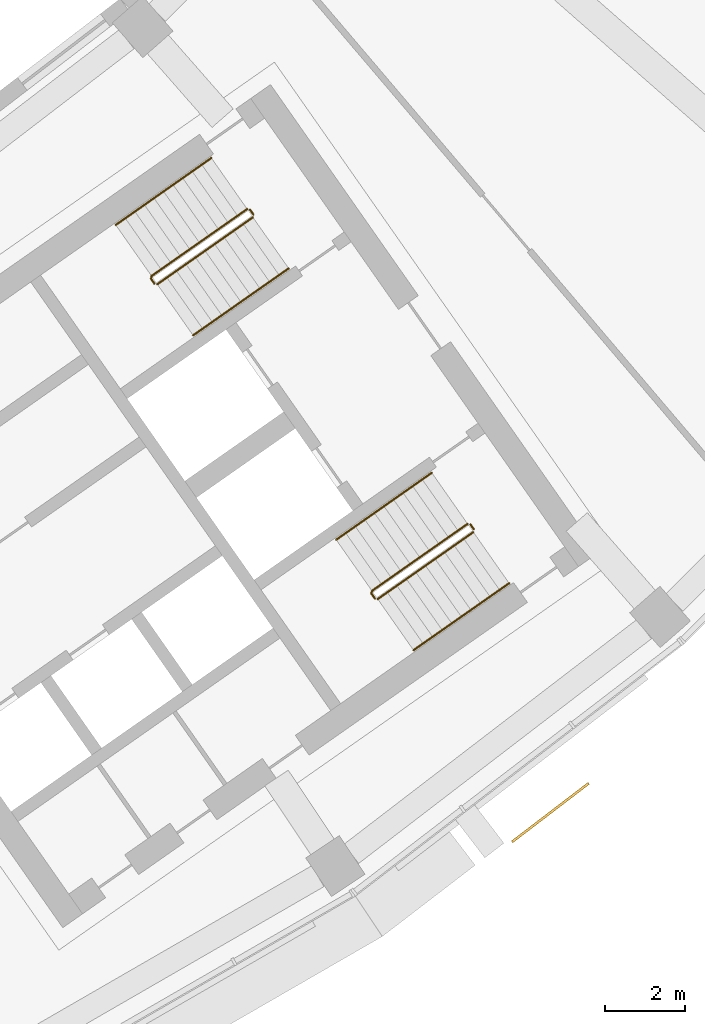
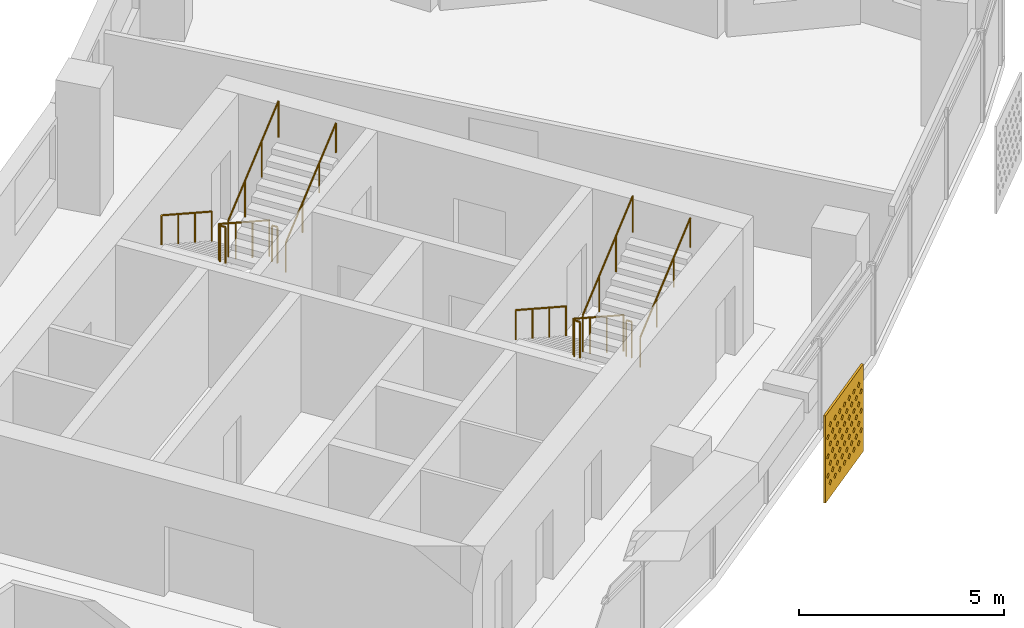
# One storey, part 27 of 28: 10 railings, 1 shading device.
"""IFC4 building model written with IfcOpenShell, lengths in metres."""

from ifc_helpers import new_model, si_unit, direction, frame, origin, origin_2d, place, context, subcontext, project, spatial, polyline, circle, outline, extrude, material, material_profile, profile_set, type_object, element, save


model = new_model("IFC4")

# Units and contexts
model_context = context("Model", 3, precision=1e-05, world=origin(), true_north=direction((0.0, 1.0)))
body_context = subcontext(model_context, "Body", "Model", "MODEL_VIEW")
ifc_project = project(units=[si_unit("LENGTHUNIT", "METRE"), si_unit("AREAUNIT", "SQUARE_METRE"), si_unit("VOLUMEUNIT", "CUBIC_METRE"), si_unit("PLANEANGLEUNIT", "RADIAN"), si_unit("MASSUNIT", "GRAM", prefix="KILO")], contexts=[model_context])

# Site, building, storey
site_placement = place(None, origin())
site = spatial("IfcSite", under=ifc_project, at=site_placement, CompositionType="ELEMENT")
building_placement = place(site_placement, origin())
building = spatial("IfcBuilding", under=site, at=building_placement, Name="Qamariyya Broadcast Tower", CompositionType="ELEMENT")
storey_placement = place(building_placement, frame((0.0, 0.0, 230.300048828125)))
storey = spatial("IfcBuildingStorey", under=building, at=storey_placement, Name="L55", CompositionType="ELEMENT", Elevation=230.300048828125)

# Shading device
ifc_material_1 = material(Name="Perforated glazed terracotta", Category="masonry")
ifc_material_profile = material_profile(ifc_material_1, outline(polyline([(-1.199951171875, -1.300048828125), (1.199951171875, -1.300048828125), (1.199951171875, 1.300048828125), (-1.199951171875, 1.300048828125), (-1.199951171875, -1.300048828125)]), holes=[polyline([(-0.81494140625, -0.86669921875), (-0.89990234375, -0.78173828125), (-0.985107421875, -0.86669921875), (-0.89990234375, -0.95166015625), (-0.81494140625, -0.86669921875)]), polyline([(-0.514892578125, -0.86669921875), (-0.60009765625, -0.78173828125), (-0.68505859375, -0.86669921875), (-0.60009765625, -0.95166015625), (-0.514892578125, -0.86669921875)]), polyline([(-0.215087890625, -0.86669921875), (-0.300048828125, -0.78173828125), (-0.385009765625, -0.86669921875), (-0.300048828125, -0.95166015625), (-0.215087890625, -0.86669921875)]), polyline([(0.0849609375, -0.86669921875), (0.0, -0.78173828125), (-0.0849609375, -0.86669921875), (0.0, -0.95166015625), (0.0849609375, -0.86669921875)]), polyline([(0.385009765625, -0.86669921875), (0.300048828125, -0.78173828125), (0.215087890625, -0.86669921875), (0.300048828125, -0.95166015625), (0.385009765625, -0.86669921875)]), polyline([(0.68505859375, -0.86669921875), (0.60009765625, -0.78173828125), (0.514892578125, -0.86669921875), (0.60009765625, -0.95166015625), (0.68505859375, -0.86669921875)]), polyline([(0.985107421875, -0.86669921875), (0.89990234375, -0.78173828125), (0.81494140625, -0.86669921875), (0.89990234375, -0.95166015625), (0.985107421875, -0.86669921875)]), polyline([(-0.965087890625, -0.577880859375), (-1.050048828125, -0.49267578125), (-1.135009765625, -0.577880859375), (-1.050048828125, -0.662841796875), (-0.965087890625, -0.577880859375)]), polyline([(-0.6650390625, -0.577880859375), (-0.75, -0.49267578125), (-0.8349609375, -0.577880859375), (-0.75, -0.662841796875), (-0.6650390625, -0.577880859375)]), polyline([(-0.364990234375, -0.577880859375), (-0.449951171875, -0.49267578125), (-0.534912109375, -0.577880859375), (-0.449951171875, -0.662841796875), (-0.364990234375, -0.577880859375)]), polyline([(-0.06494140625, -0.577880859375), (-0.14990234375, -0.49267578125), (-0.235107421875, -0.577880859375), (-0.14990234375, -0.662841796875), (-0.06494140625, -0.577880859375)]), polyline([(0.235107421875, -0.577880859375), (0.14990234375, -0.49267578125), (0.06494140625, -0.577880859375), (0.14990234375, -0.662841796875), (0.235107421875, -0.577880859375)]), polyline([(0.534912109375, -0.577880859375), (0.449951171875, -0.49267578125), (0.364990234375, -0.577880859375), (0.449951171875, -0.662841796875), (0.534912109375, -0.577880859375)]), polyline([(0.8349609375, -0.577880859375), (0.75, -0.49267578125), (0.6650390625, -0.577880859375), (0.75, -0.662841796875), (0.8349609375, -0.577880859375)]), polyline([(1.135009765625, -0.577880859375), (1.050048828125, -0.49267578125), (0.965087890625, -0.577880859375), (1.050048828125, -0.662841796875), (1.135009765625, -0.577880859375)]), polyline([(-0.81494140625, -0.288818359375), (-0.89990234375, -0.203857421875), (-0.985107421875, -0.288818359375), (-0.89990234375, -0.373779296875), (-0.81494140625, -0.288818359375)]), polyline([(-0.514892578125, -0.288818359375), (-0.60009765625, -0.203857421875), (-0.68505859375, -0.288818359375), (-0.60009765625, -0.373779296875), (-0.514892578125, -0.288818359375)]), polyline([(-0.215087890625, -0.288818359375), (-0.300048828125, -0.203857421875), (-0.385009765625, -0.288818359375), (-0.300048828125, -0.373779296875), (-0.215087890625, -0.288818359375)]), polyline([(0.0849609375, -0.288818359375), (0.0, -0.203857421875), (-0.0849609375, -0.288818359375), (0.0, -0.373779296875), (0.0849609375, -0.288818359375)]), polyline([(0.385009765625, -0.288818359375), (0.300048828125, -0.203857421875), (0.215087890625, -0.288818359375), (0.300048828125, -0.373779296875), (0.385009765625, -0.288818359375)]), polyline([(0.68505859375, -0.288818359375), (0.60009765625, -0.203857421875), (0.514892578125, -0.288818359375), (0.60009765625, -0.373779296875), (0.68505859375, -0.288818359375)]), polyline([(0.985107421875, -0.288818359375), (0.89990234375, -0.203857421875), (0.81494140625, -0.288818359375), (0.89990234375, -0.373779296875), (0.985107421875, -0.288818359375)]), polyline([(-0.965087890625, 0.0), (-1.050048828125, 0.0849609375), (-1.135009765625, 0.0), (-1.050048828125, -0.0849609375), (-0.965087890625, 0.0)]), polyline([(-0.6650390625, 0.0), (-0.75, 0.0849609375), (-0.8349609375, 0.0), (-0.75, -0.0849609375), (-0.6650390625, 0.0)]), polyline([(-0.364990234375, 0.0), (-0.449951171875, 0.0849609375), (-0.534912109375, 0.0), (-0.449951171875, -0.0849609375), (-0.364990234375, 0.0)]), polyline([(-0.06494140625, 0.0), (-0.14990234375, 0.0849609375), (-0.235107421875, 0.0), (-0.14990234375, -0.0849609375), (-0.06494140625, 0.0)]), polyline([(0.235107421875, 0.0), (0.14990234375, 0.0849609375), (0.06494140625, 0.0), (0.14990234375, -0.0849609375), (0.235107421875, 0.0)]), polyline([(0.534912109375, 0.0), (0.449951171875, 0.0849609375), (0.364990234375, 0.0), (0.449951171875, -0.0849609375), (0.534912109375, 0.0)]), polyline([(0.8349609375, 0.0), (0.75, 0.0849609375), (0.6650390625, 0.0), (0.75, -0.0849609375), (0.8349609375, 0.0)]), polyline([(1.135009765625, 0.0), (1.050048828125, 0.0849609375), (0.965087890625, 0.0), (1.050048828125, -0.0849609375), (1.135009765625, 0.0)]), polyline([(-0.81494140625, 0.288818359375), (-0.89990234375, 0.373779296875), (-0.985107421875, 0.288818359375), (-0.89990234375, 0.203857421875), (-0.81494140625, 0.288818359375)]), polyline([(-0.514892578125, 0.288818359375), (-0.60009765625, 0.373779296875), (-0.68505859375, 0.288818359375), (-0.60009765625, 0.203857421875), (-0.514892578125, 0.288818359375)]), polyline([(-0.215087890625, 0.288818359375), (-0.300048828125, 0.373779296875), (-0.385009765625, 0.288818359375), (-0.300048828125, 0.203857421875), (-0.215087890625, 0.288818359375)]), polyline([(0.0849609375, 0.288818359375), (0.0, 0.373779296875), (-0.0849609375, 0.288818359375), (0.0, 0.203857421875), (0.0849609375, 0.288818359375)]), polyline([(0.385009765625, 0.288818359375), (0.300048828125, 0.373779296875), (0.215087890625, 0.288818359375), (0.300048828125, 0.203857421875), (0.385009765625, 0.288818359375)]), polyline([(0.68505859375, 0.288818359375), (0.60009765625, 0.373779296875), (0.514892578125, 0.288818359375), (0.60009765625, 0.203857421875), (0.68505859375, 0.288818359375)]), polyline([(0.985107421875, 0.288818359375), (0.89990234375, 0.373779296875), (0.81494140625, 0.288818359375), (0.89990234375, 0.203857421875), (0.985107421875, 0.288818359375)]), polyline([(-0.965087890625, 0.577880859375), (-1.050048828125, 0.662841796875), (-1.135009765625, 0.577880859375), (-1.050048828125, 0.49267578125), (-0.965087890625, 0.577880859375)]), polyline([(-0.6650390625, 0.577880859375), (-0.75, 0.662841796875), (-0.8349609375, 0.577880859375), (-0.75, 0.49267578125), (-0.6650390625, 0.577880859375)]), polyline([(-0.364990234375, 0.577880859375), (-0.449951171875, 0.662841796875), (-0.534912109375, 0.577880859375), (-0.449951171875, 0.49267578125), (-0.364990234375, 0.577880859375)]), polyline([(-0.06494140625, 0.577880859375), (-0.14990234375, 0.662841796875), (-0.235107421875, 0.577880859375), (-0.14990234375, 0.49267578125), (-0.06494140625, 0.577880859375)]), polyline([(0.235107421875, 0.577880859375), (0.14990234375, 0.662841796875), (0.06494140625, 0.577880859375), (0.14990234375, 0.49267578125), (0.235107421875, 0.577880859375)]), polyline([(0.534912109375, 0.577880859375), (0.449951171875, 0.662841796875), (0.364990234375, 0.577880859375), (0.449951171875, 0.49267578125), (0.534912109375, 0.577880859375)]), polyline([(0.8349609375, 0.577880859375), (0.75, 0.662841796875), (0.6650390625, 0.577880859375), (0.75, 0.49267578125), (0.8349609375, 0.577880859375)]), polyline([(1.135009765625, 0.577880859375), (1.050048828125, 0.662841796875), (0.965087890625, 0.577880859375), (1.050048828125, 0.49267578125), (1.135009765625, 0.577880859375)]), polyline([(-0.81494140625, 0.86669921875), (-0.89990234375, 0.95166015625), (-0.985107421875, 0.86669921875), (-0.89990234375, 0.78173828125), (-0.81494140625, 0.86669921875)]), polyline([(-0.514892578125, 0.86669921875), (-0.60009765625, 0.95166015625), (-0.68505859375, 0.86669921875), (-0.60009765625, 0.78173828125), (-0.514892578125, 0.86669921875)]), polyline([(-0.215087890625, 0.86669921875), (-0.300048828125, 0.95166015625), (-0.385009765625, 0.86669921875), (-0.300048828125, 0.78173828125), (-0.215087890625, 0.86669921875)]), polyline([(0.0849609375, 0.86669921875), (0.0, 0.95166015625), (-0.0849609375, 0.86669921875), (0.0, 0.78173828125), (0.0849609375, 0.86669921875)]), polyline([(0.385009765625, 0.86669921875), (0.300048828125, 0.95166015625), (0.215087890625, 0.86669921875), (0.300048828125, 0.78173828125), (0.385009765625, 0.86669921875)]), polyline([(0.68505859375, 0.86669921875), (0.60009765625, 0.95166015625), (0.514892578125, 0.86669921875), (0.60009765625, 0.78173828125), (0.68505859375, 0.86669921875)]), polyline([(0.985107421875, 0.86669921875), (0.89990234375, 0.95166015625), (0.81494140625, 0.86669921875), (0.89990234375, 0.78173828125), (0.985107421875, 0.86669921875)])]))
ifc_profile_set = profile_set([ifc_material_profile], Name="Perforated glazed terracotta")
shading_device_type = type_object("IfcShadingDeviceType", Name="Perforated terracotta screen 2400 x 2600", PredefinedType="USERDEFINED", material=ifc_profile_set)
shading_device_placement = place(storey_placement, frame((48.521240234375, -63.293212890625, 1.349853515625), z_axis=(0.607147566278, -0.794589096806, 0.0), x_axis=(0.794589096806, 0.607147566278, 0.0)))
element("IfcShadingDevice", 1, at=shading_device_placement, inside=storey, type_object=shading_device_type, Name="e-scr-L55-13-1", ObjectType="SCREEN", PredefinedType="USERDEFINED", context=body_context, shape_type="SweptSolid", body=[
    extrude(outline(polyline([(-1.199951171875, -1.300048828125), (1.199951171875, -1.300048828125), (1.199951171875, 1.300048828125), (-1.199951171875, 1.300048828125), (-1.199951171875, -1.300048828125)]), holes=[polyline([(-0.81494140625, -0.86669921875), (-0.89990234375, -0.78173828125), (-0.985107421875, -0.86669921875), (-0.89990234375, -0.95166015625), (-0.81494140625, -0.86669921875)]), polyline([(-0.514892578125, -0.86669921875), (-0.60009765625, -0.78173828125), (-0.68505859375, -0.86669921875), (-0.60009765625, -0.95166015625), (-0.514892578125, -0.86669921875)]), polyline([(-0.215087890625, -0.86669921875), (-0.300048828125, -0.78173828125), (-0.385009765625, -0.86669921875), (-0.300048828125, -0.95166015625), (-0.215087890625, -0.86669921875)]), polyline([(0.0849609375, -0.86669921875), (0.0, -0.78173828125), (-0.0849609375, -0.86669921875), (0.0, -0.95166015625), (0.0849609375, -0.86669921875)]), polyline([(0.385009765625, -0.86669921875), (0.300048828125, -0.78173828125), (0.215087890625, -0.86669921875), (0.300048828125, -0.95166015625), (0.385009765625, -0.86669921875)]), polyline([(0.68505859375, -0.86669921875), (0.60009765625, -0.78173828125), (0.514892578125, -0.86669921875), (0.60009765625, -0.95166015625), (0.68505859375, -0.86669921875)]), polyline([(0.985107421875, -0.86669921875), (0.89990234375, -0.78173828125), (0.81494140625, -0.86669921875), (0.89990234375, -0.95166015625), (0.985107421875, -0.86669921875)]), polyline([(-0.965087890625, -0.577880859375), (-1.050048828125, -0.49267578125), (-1.135009765625, -0.577880859375), (-1.050048828125, -0.662841796875), (-0.965087890625, -0.577880859375)]), polyline([(-0.6650390625, -0.577880859375), (-0.75, -0.49267578125), (-0.8349609375, -0.577880859375), (-0.75, -0.662841796875), (-0.6650390625, -0.577880859375)]), polyline([(-0.364990234375, -0.577880859375), (-0.449951171875, -0.49267578125), (-0.534912109375, -0.577880859375), (-0.449951171875, -0.662841796875), (-0.364990234375, -0.577880859375)]), polyline([(-0.06494140625, -0.577880859375), (-0.14990234375, -0.49267578125), (-0.235107421875, -0.577880859375), (-0.14990234375, -0.662841796875), (-0.06494140625, -0.577880859375)]), polyline([(0.235107421875, -0.577880859375), (0.14990234375, -0.49267578125), (0.06494140625, -0.577880859375), (0.14990234375, -0.662841796875), (0.235107421875, -0.577880859375)]), polyline([(0.534912109375, -0.577880859375), (0.449951171875, -0.49267578125), (0.364990234375, -0.577880859375), (0.449951171875, -0.662841796875), (0.534912109375, -0.577880859375)]), polyline([(0.8349609375, -0.577880859375), (0.75, -0.49267578125), (0.6650390625, -0.577880859375), (0.75, -0.662841796875), (0.8349609375, -0.577880859375)]), polyline([(1.135009765625, -0.577880859375), (1.050048828125, -0.49267578125), (0.965087890625, -0.577880859375), (1.050048828125, -0.662841796875), (1.135009765625, -0.577880859375)]), polyline([(-0.81494140625, -0.288818359375), (-0.89990234375, -0.203857421875), (-0.985107421875, -0.288818359375), (-0.89990234375, -0.373779296875), (-0.81494140625, -0.288818359375)]), polyline([(-0.514892578125, -0.288818359375), (-0.60009765625, -0.203857421875), (-0.68505859375, -0.288818359375), (-0.60009765625, -0.373779296875), (-0.514892578125, -0.288818359375)]), polyline([(-0.215087890625, -0.288818359375), (-0.300048828125, -0.203857421875), (-0.385009765625, -0.288818359375), (-0.300048828125, -0.373779296875), (-0.215087890625, -0.288818359375)]), polyline([(0.0849609375, -0.288818359375), (0.0, -0.203857421875), (-0.0849609375, -0.288818359375), (0.0, -0.373779296875), (0.0849609375, -0.288818359375)]), polyline([(0.385009765625, -0.288818359375), (0.300048828125, -0.203857421875), (0.215087890625, -0.288818359375), (0.300048828125, -0.373779296875), (0.385009765625, -0.288818359375)]), polyline([(0.68505859375, -0.288818359375), (0.60009765625, -0.203857421875), (0.514892578125, -0.288818359375), (0.60009765625, -0.373779296875), (0.68505859375, -0.288818359375)]), polyline([(0.985107421875, -0.288818359375), (0.89990234375, -0.203857421875), (0.81494140625, -0.288818359375), (0.89990234375, -0.373779296875), (0.985107421875, -0.288818359375)]), polyline([(-0.965087890625, 0.0), (-1.050048828125, 0.0849609375), (-1.135009765625, 0.0), (-1.050048828125, -0.0849609375), (-0.965087890625, 0.0)]), polyline([(-0.6650390625, 0.0), (-0.75, 0.0849609375), (-0.8349609375, 0.0), (-0.75, -0.0849609375), (-0.6650390625, 0.0)]), polyline([(-0.364990234375, 0.0), (-0.449951171875, 0.0849609375), (-0.534912109375, 0.0), (-0.449951171875, -0.0849609375), (-0.364990234375, 0.0)]), polyline([(-0.06494140625, 0.0), (-0.14990234375, 0.0849609375), (-0.235107421875, 0.0), (-0.14990234375, -0.0849609375), (-0.06494140625, 0.0)]), polyline([(0.235107421875, 0.0), (0.14990234375, 0.0849609375), (0.06494140625, 0.0), (0.14990234375, -0.0849609375), (0.235107421875, 0.0)]), polyline([(0.534912109375, 0.0), (0.449951171875, 0.0849609375), (0.364990234375, 0.0), (0.449951171875, -0.0849609375), (0.534912109375, 0.0)]), polyline([(0.8349609375, 0.0), (0.75, 0.0849609375), (0.6650390625, 0.0), (0.75, -0.0849609375), (0.8349609375, 0.0)]), polyline([(1.135009765625, 0.0), (1.050048828125, 0.0849609375), (0.965087890625, 0.0), (1.050048828125, -0.0849609375), (1.135009765625, 0.0)]), polyline([(-0.81494140625, 0.288818359375), (-0.89990234375, 0.373779296875), (-0.985107421875, 0.288818359375), (-0.89990234375, 0.203857421875), (-0.81494140625, 0.288818359375)]), polyline([(-0.514892578125, 0.288818359375), (-0.60009765625, 0.373779296875), (-0.68505859375, 0.288818359375), (-0.60009765625, 0.203857421875), (-0.514892578125, 0.288818359375)]), polyline([(-0.215087890625, 0.288818359375), (-0.300048828125, 0.373779296875), (-0.385009765625, 0.288818359375), (-0.300048828125, 0.203857421875), (-0.215087890625, 0.288818359375)]), polyline([(0.0849609375, 0.288818359375), (0.0, 0.373779296875), (-0.0849609375, 0.288818359375), (0.0, 0.203857421875), (0.0849609375, 0.288818359375)]), polyline([(0.385009765625, 0.288818359375), (0.300048828125, 0.373779296875), (0.215087890625, 0.288818359375), (0.300048828125, 0.203857421875), (0.385009765625, 0.288818359375)]), polyline([(0.68505859375, 0.288818359375), (0.60009765625, 0.373779296875), (0.514892578125, 0.288818359375), (0.60009765625, 0.203857421875), (0.68505859375, 0.288818359375)]), polyline([(0.985107421875, 0.288818359375), (0.89990234375, 0.373779296875), (0.81494140625, 0.288818359375), (0.89990234375, 0.203857421875), (0.985107421875, 0.288818359375)]), polyline([(-0.965087890625, 0.577880859375), (-1.050048828125, 0.662841796875), (-1.135009765625, 0.577880859375), (-1.050048828125, 0.49267578125), (-0.965087890625, 0.577880859375)]), polyline([(-0.6650390625, 0.577880859375), (-0.75, 0.662841796875), (-0.8349609375, 0.577880859375), (-0.75, 0.49267578125), (-0.6650390625, 0.577880859375)]), polyline([(-0.364990234375, 0.577880859375), (-0.449951171875, 0.662841796875), (-0.534912109375, 0.577880859375), (-0.449951171875, 0.49267578125), (-0.364990234375, 0.577880859375)]), polyline([(-0.06494140625, 0.577880859375), (-0.14990234375, 0.662841796875), (-0.235107421875, 0.577880859375), (-0.14990234375, 0.49267578125), (-0.06494140625, 0.577880859375)]), polyline([(0.235107421875, 0.577880859375), (0.14990234375, 0.662841796875), (0.06494140625, 0.577880859375), (0.14990234375, 0.49267578125), (0.235107421875, 0.577880859375)]), polyline([(0.534912109375, 0.577880859375), (0.449951171875, 0.662841796875), (0.364990234375, 0.577880859375), (0.449951171875, 0.49267578125), (0.534912109375, 0.577880859375)]), polyline([(0.8349609375, 0.577880859375), (0.75, 0.662841796875), (0.6650390625, 0.577880859375), (0.75, 0.49267578125), (0.8349609375, 0.577880859375)]), polyline([(1.135009765625, 0.577880859375), (1.050048828125, 0.662841796875), (0.965087890625, 0.577880859375), (1.050048828125, 0.49267578125), (1.135009765625, 0.577880859375)]), polyline([(-0.81494140625, 0.86669921875), (-0.89990234375, 0.95166015625), (-0.985107421875, 0.86669921875), (-0.89990234375, 0.78173828125), (-0.81494140625, 0.86669921875)]), polyline([(-0.514892578125, 0.86669921875), (-0.60009765625, 0.95166015625), (-0.68505859375, 0.86669921875), (-0.60009765625, 0.78173828125), (-0.514892578125, 0.86669921875)]), polyline([(-0.215087890625, 0.86669921875), (-0.300048828125, 0.95166015625), (-0.385009765625, 0.86669921875), (-0.300048828125, 0.78173828125), (-0.215087890625, 0.86669921875)]), polyline([(0.0849609375, 0.86669921875), (0.0, 0.95166015625), (-0.0849609375, 0.86669921875), (0.0, 0.78173828125), (0.0849609375, 0.86669921875)]), polyline([(0.385009765625, 0.86669921875), (0.300048828125, 0.95166015625), (0.215087890625, 0.86669921875), (0.300048828125, 0.78173828125), (0.385009765625, 0.86669921875)]), polyline([(0.68505859375, 0.86669921875), (0.60009765625, 0.95166015625), (0.514892578125, 0.86669921875), (0.60009765625, 0.78173828125), (0.68505859375, 0.86669921875)]), polyline([(0.985107421875, 0.86669921875), (0.89990234375, 0.95166015625), (0.81494140625, 0.86669921875), (0.89990234375, 0.78173828125), (0.985107421875, 0.86669921875)])]), origin(), (0.0, 0.0, 1.0), 0.059814453125),
])

# Railings
ifc_material_2 = material(Name="Painted steel", Category="steel")
railing_type_1 = type_object("IfcRailingType", Name="Stair guard", PredefinedType="GUARDRAIL", material=ifc_material_2)
railing_1_placement = place(storey_placement, frame((41.003173828125, -48.320068359375, 0.172607421875)))
element("IfcRailing", 2, at=railing_1_placement, inside=storey, type_object=railing_type_1, Name="L55 ST-E2 stair guard 1", PredefinedType="GUARDRAIL", context=body_context, shape_type="SweptSolid", body=[
    extrude(circle(Radius=0.02392578125, at=origin_2d()), frame((0.0, 0.0, 1.076171875), z_axis=(-0.703770094002, -0.492783725636, 0.511734163933), x_axis=(0.573575343427, -0.819152809562, 0.0)), (0.0, 0.0, 1.0), 3.37548828125),
    extrude(circle(Radius=0.02392578125, at=origin_2d()), frame((-2.37548828125, -1.663330078125, 2.80322265625), z_axis=(-0.172799478008, -0.984957024646, 0.0), x_axis=(0.984957024646, -0.172799478008, 0.0)), (0.0, 0.0, 1.0), 0.070556640625),
    extrude(circle(Radius=0.02392578125, at=origin_2d()), frame((-2.3876953125, -1.73291015625, 2.80322265625), z_axis=(0.572588637393, -0.819842821722, 0.0), x_axis=(0.819842821722, 0.572588637393, 0.0)), (0.0, 0.0, 1.0), 0.150146484375),
    extrude(circle(Radius=0.02099609375, at=origin_2d()), origin(), (0.0, 0.0, 1.0), 1.052001953125),
    extrude(circle(Radius=0.02099609375, at=origin_2d()), frame((-0.791748046875, -0.554443359375, 0.57568359375)), (0.0, 0.0, 1.0), 1.052001953125),
    extrude(circle(Radius=0.02099609375, at=origin_2d()), frame((-1.583740234375, -1.10888671875, 1.151611328125)), (0.0, 0.0, 1.0), 1.052001953125),
    extrude(circle(Radius=0.02099609375, at=origin_2d()), frame((-2.37548828125, -1.663330078125, 1.727294921875)), (0.0, 0.0, 1.0), 1.052001953125),
    extrude(circle(Radius=0.02099609375, at=origin_2d()), frame((-2.3876953125, -1.73291015625, 1.727294921875)), (0.0, 0.0, 1.0), 1.052001953125),
    extrude(circle(Radius=0.02099609375, at=origin_2d()), frame((-2.3017578125, -1.85595703125, 1.727294921875)), (0.0, 0.0, 1.0), 1.052001953125),
])
railing_2_placement = place(storey_placement, frame((38.771240234375, -50.188232421875, 2.07275390625)))
element("IfcRailing", 3, at=railing_2_placement, inside=storey, type_object=railing_type_1, Name="L55 ST-E2 stair guard 2", PredefinedType="GUARDRAIL", context=body_context, shape_type="SweptSolid", body=[
    extrude(circle(Radius=0.02392578125, at=origin_2d()), frame((0.0, 0.0, 1.076171875), z_axis=(0.703770094002, 0.492783725636, 0.511734163933), x_axis=(-0.573575343427, 0.819152809562, 0.0)), (0.0, 0.0, 1.0), 3.37548828125),
    extrude(circle(Radius=0.02099609375, at=origin_2d()), origin(), (0.0, 0.0, 1.0), 1.052001953125),
    extrude(circle(Radius=0.02099609375, at=origin_2d()), frame((0.791748046875, 0.554443359375, 0.57568359375)), (0.0, 0.0, 1.0), 1.052001953125),
    extrude(circle(Radius=0.02099609375, at=origin_2d()), frame((1.583740234375, 1.10888671875, 1.151611328125)), (0.0, 0.0, 1.0), 1.052001953125),
    extrude(circle(Radius=0.02099609375, at=origin_2d()), frame((2.37548828125, 1.663330078125, 1.727294921875)), (0.0, 0.0, 1.0), 1.052001953125),
])
railing_3_placement = place(storey_placement, frame((41.072998046875, -48.332275390625, 0.0)))
element("IfcRailing", 4, at=railing_3_placement, inside=storey, type_object=railing_type_1, Name="L55 ST-E2 stair guard 3", PredefinedType="GUARDRAIL", context=body_context, shape_type="SweptSolid", body=[
    extrude(circle(Radius=0.02392578125, at=origin_2d()), frame((0.0, 0.0, 1.076171875), z_axis=(0.572588637393, -0.819842821722, 0.0), x_axis=(0.819842821722, 0.572588637393, 0.0)), (0.0, 0.0, 1.0), 0.150146484375),
    extrude(circle(Radius=0.02099609375, at=origin_2d()), origin(), (0.0, 0.0, 1.0), 1.052001953125),
    extrude(circle(Radius=0.02099609375, at=origin_2d()), frame((0.0859375, -0.123046875, 0.0)), (0.0, 0.0, 1.0), 1.052001953125),
])
railing_4_placement = place(storey_placement, frame((46.48095703125, -56.14306640625, 0.172607421875)))
element("IfcRailing", 5, at=railing_4_placement, inside=storey, type_object=railing_type_1, Name="L55 ST-E1 stair guard 1", PredefinedType="GUARDRAIL", context=body_context, shape_type="SweptSolid", body=[
    extrude(circle(Radius=0.02392578125, at=origin_2d()), frame((0.0, 0.0, 1.076171875), z_axis=(-0.703770094002, -0.492783725636, 0.511734163933), x_axis=(0.573575343427, -0.819152809562, 0.0)), (0.0, 0.0, 1.0), 3.37548828125),
    extrude(circle(Radius=0.02392578125, at=origin_2d()), frame((-2.37548828125, -1.663330078125, 2.80322265625), z_axis=(-0.176149252506, -0.984363469884, 0.0), x_axis=(0.984363469884, -0.176149252506, 0.0)), (0.0, 0.0, 1.0), 0.07080078125),
    extrude(circle(Radius=0.02392578125, at=origin_2d()), frame((-2.387939453125, -1.73291015625, 2.80322265625), z_axis=(0.574444878118, -0.818543268254, 0.0), x_axis=(0.818543268254, 0.574444878118, 0.0)), (0.0, 0.0, 1.0), 0.150146484375),
    extrude(circle(Radius=0.02099609375, at=origin_2d()), origin(), (0.0, 0.0, 1.0), 1.052001953125),
    extrude(circle(Radius=0.02099609375, at=origin_2d()), frame((-0.791748046875, -0.554443359375, 0.57568359375)), (0.0, 0.0, 1.0), 1.052001953125),
    extrude(circle(Radius=0.02099609375, at=origin_2d()), frame((-1.583740234375, -1.10888671875, 1.151611328125)), (0.0, 0.0, 1.0), 1.052001953125),
    extrude(circle(Radius=0.02099609375, at=origin_2d()), frame((-2.37548828125, -1.663330078125, 1.727294921875)), (0.0, 0.0, 1.0), 1.052001953125),
    extrude(circle(Radius=0.02099609375, at=origin_2d()), frame((-2.387939453125, -1.73291015625, 1.727294921875)), (0.0, 0.0, 1.0), 1.052001953125),
    extrude(circle(Radius=0.02099609375, at=origin_2d()), frame((-2.3017578125, -1.855712890625, 1.727294921875)), (0.0, 0.0, 1.0), 1.052001953125),
])
railing_5_placement = place(storey_placement, frame((44.248779296875, -58.01123046875, 2.07275390625)))
element("IfcRailing", 6, at=railing_5_placement, inside=storey, type_object=railing_type_1, Name="L55 ST-E1 stair guard 2", PredefinedType="GUARDRAIL", context=body_context, shape_type="SweptSolid", body=[
    extrude(circle(Radius=0.02392578125, at=origin_2d()), frame((0.0, 0.0, 1.076171875), z_axis=(0.703745009021, 0.492838488332, 0.511715923826), x_axis=(-0.573631830683, 0.819113253969, 0.0)), (0.0, 0.0, 1.0), 3.37548828125),
    extrude(circle(Radius=0.02099609375, at=origin_2d()), origin(), (0.0, 0.0, 1.0), 1.052001953125),
    extrude(circle(Radius=0.02099609375, at=origin_2d()), frame((0.791748046875, 0.554443359375, 0.57568359375)), (0.0, 0.0, 1.0), 1.052001953125),
    extrude(circle(Radius=0.02099609375, at=origin_2d()), frame((1.583740234375, 1.109130859375, 1.151611328125)), (0.0, 0.0, 1.0), 1.052001953125),
    extrude(circle(Radius=0.02099609375, at=origin_2d()), frame((2.37548828125, 1.66357421875, 1.727294921875)), (0.0, 0.0, 1.0), 1.052001953125),
])
railing_6_placement = place(storey_placement, frame((46.550537109375, -56.1552734375, 0.0)))
element("IfcRailing", 7, at=railing_6_placement, inside=storey, type_object=railing_type_1, Name="L55 ST-E1 stair guard 3", PredefinedType="GUARDRAIL", context=body_context, shape_type="SweptSolid", body=[
    extrude(circle(Radius=0.02392578125, at=origin_2d()), frame((0.0, 0.0, 1.076171875), z_axis=(0.574444878118, -0.818543268254, 0.0), x_axis=(0.818543268254, 0.574444878118, 0.0)), (0.0, 0.0, 1.0), 0.150146484375),
    extrude(circle(Radius=0.02099609375, at=origin_2d()), origin(), (0.0, 0.0, 1.0), 1.052001953125),
    extrude(circle(Radius=0.02099609375, at=origin_2d()), frame((0.086181640625, -0.122802734375, 0.0)), (0.0, 0.0, 1.0), 1.052001953125),
])
ifc_material_3 = material(Name="Stainless steel", Category="steel")
railing_type_2 = type_object("IfcRailingType", Name="Stair handrail", PredefinedType="HANDRAIL", material=ifc_material_3)
railing_7_placement = place(storey_placement, frame((40.1142578125, -47.05029296875, 0.172607421875)))
element("IfcRailing", 8, at=railing_7_placement, inside=storey, type_object=railing_type_2, Name="L55 ST-E2 stair handrail 1", PredefinedType="HANDRAIL", context=body_context, shape_type="SweptSolid", body=[
    extrude(circle(Radius=0.02392578125, at=origin_2d()), frame((0.0, 0.0, 0.8759765625), z_axis=(-0.703745009021, -0.492838488332, 0.511715923826), x_axis=(0.573631830683, -0.819113253969, 0.0)), (0.0, 0.0, 1.0), 3.37548828125),
    extrude(circle(Radius=0.02099609375, at=origin_2d()), origin(), (0.0, 0.0, 1.0), 0.851806640625),
    extrude(circle(Radius=0.02099609375, at=origin_2d()), frame((-0.791748046875, -0.554443359375, 0.57568359375)), (0.0, 0.0, 1.0), 0.851806640625),
    extrude(circle(Radius=0.02099609375, at=origin_2d()), frame((-1.583740234375, -1.109130859375, 1.151611328125)), (0.0, 0.0, 1.0), 0.851806640625),
    extrude(circle(Radius=0.02099609375, at=origin_2d()), frame((-2.37548828125, -1.66357421875, 1.727294921875)), (0.0, 0.0, 1.0), 0.851806640625),
])
railing_8_placement = place(storey_placement, frame((39.66015625, -51.4580078125, 2.07275390625)))
element("IfcRailing", 9, at=railing_8_placement, inside=storey, type_object=railing_type_2, Name="L55 ST-E2 stair handrail 2", PredefinedType="HANDRAIL", context=body_context, shape_type="SweptSolid", body=[
    extrude(circle(Radius=0.02392578125, at=origin_2d()), frame((0.0, 0.0, 0.8759765625), z_axis=(0.703745009021, 0.492838488332, 0.511715923826), x_axis=(-0.573631830683, 0.819113253969, 0.0)), (0.0, 0.0, 1.0), 3.37548828125),
    extrude(circle(Radius=0.02099609375, at=origin_2d()), origin(), (0.0, 0.0, 1.0), 0.851806640625),
    extrude(circle(Radius=0.02099609375, at=origin_2d()), frame((0.791748046875, 0.554443359375, 0.57568359375)), (0.0, 0.0, 1.0), 0.851806640625),
    extrude(circle(Radius=0.02099609375, at=origin_2d()), frame((1.583740234375, 1.109130859375, 1.151611328125)), (0.0, 0.0, 1.0), 0.851806640625),
    extrude(circle(Radius=0.02099609375, at=origin_2d()), frame((2.37548828125, 1.66357421875, 1.727294921875)), (0.0, 0.0, 1.0), 0.851806640625),
])
railing_9_placement = place(storey_placement, frame((45.591796875, -54.873291015625, 0.172607421875)))
element("IfcRailing", 10, at=railing_9_placement, inside=storey, type_object=railing_type_2, Name="L55 ST-E1 stair handrail 1", PredefinedType="HANDRAIL", context=body_context, shape_type="SweptSolid", body=[
    extrude(circle(Radius=0.02392578125, at=origin_2d()), frame((0.0, 0.0, 0.8759765625), z_axis=(-0.703770094002, -0.492783725636, 0.511734163933), x_axis=(0.573575343427, -0.819152809562, 0.0)), (0.0, 0.0, 1.0), 3.37548828125),
    extrude(circle(Radius=0.02099609375, at=origin_2d()), origin(), (0.0, 0.0, 1.0), 0.851806640625),
    extrude(circle(Radius=0.02099609375, at=origin_2d()), frame((-0.791748046875, -0.554443359375, 0.57568359375)), (0.0, 0.0, 1.0), 0.851806640625),
    extrude(circle(Radius=0.02099609375, at=origin_2d()), frame((-1.583740234375, -1.10888671875, 1.151611328125)), (0.0, 0.0, 1.0), 0.851806640625),
    extrude(circle(Radius=0.02099609375, at=origin_2d()), frame((-2.37548828125, -1.663330078125, 1.727294921875)), (0.0, 0.0, 1.0), 0.851806640625),
])
railing_10_placement = place(storey_placement, frame((45.137939453125, -59.28076171875, 2.07275390625)))
element("IfcRailing", 11, at=railing_10_placement, inside=storey, type_object=railing_type_2, Name="L55 ST-E1 stair handrail 2", PredefinedType="HANDRAIL", context=body_context, shape_type="SweptSolid", body=[
    extrude(circle(Radius=0.02392578125, at=origin_2d()), frame((0.0, 0.0, 0.8759765625), z_axis=(0.703770094002, 0.492783725636, 0.511734163933), x_axis=(-0.573575343427, 0.819152809562, 0.0)), (0.0, 0.0, 1.0), 3.37548828125),
    extrude(circle(Radius=0.02099609375, at=origin_2d()), origin(), (0.0, 0.0, 1.0), 0.851806640625),
    extrude(circle(Radius=0.02099609375, at=origin_2d()), frame((0.791748046875, 0.554443359375, 0.57568359375)), (0.0, 0.0, 1.0), 0.851806640625),
    extrude(circle(Radius=0.02099609375, at=origin_2d()), frame((1.583740234375, 1.10888671875, 1.151611328125)), (0.0, 0.0, 1.0), 0.851806640625),
    extrude(circle(Radius=0.02099609375, at=origin_2d()), frame((2.37548828125, 1.663330078125, 1.727294921875)), (0.0, 0.0, 1.0), 0.851806640625),
])

save(model, "model.ifc")
